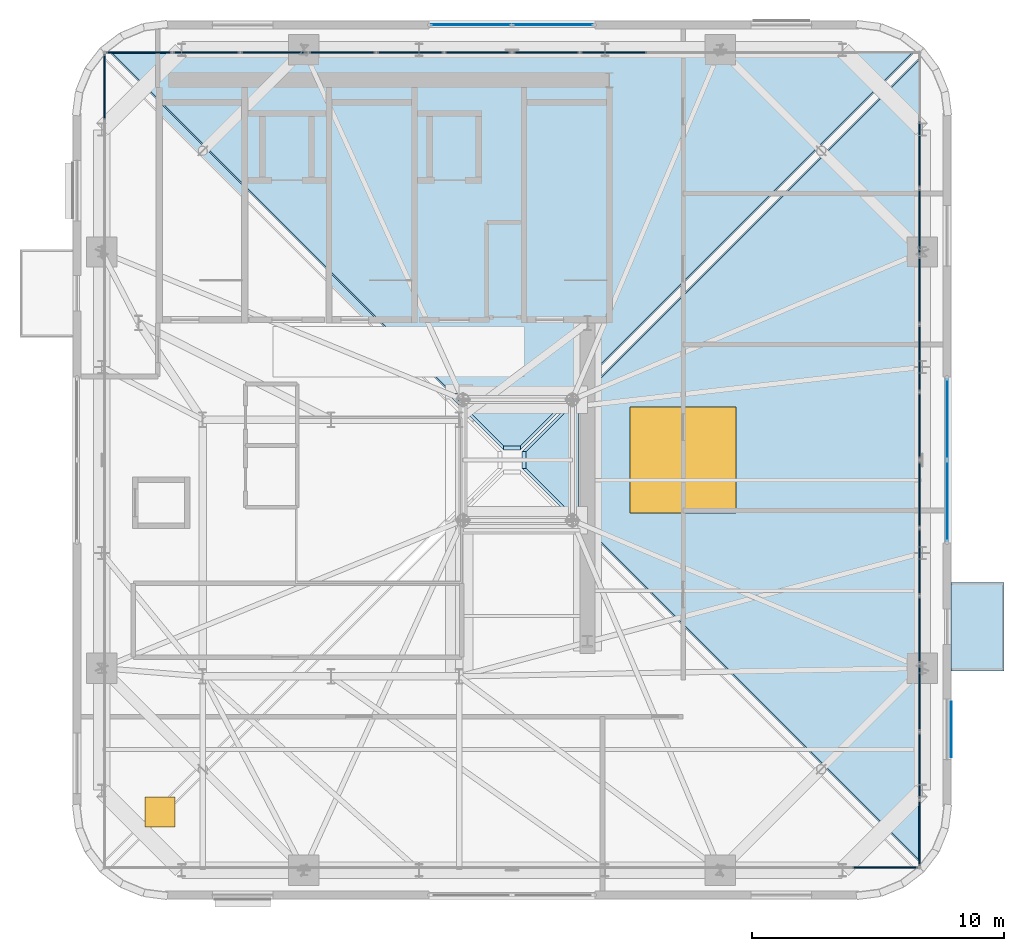
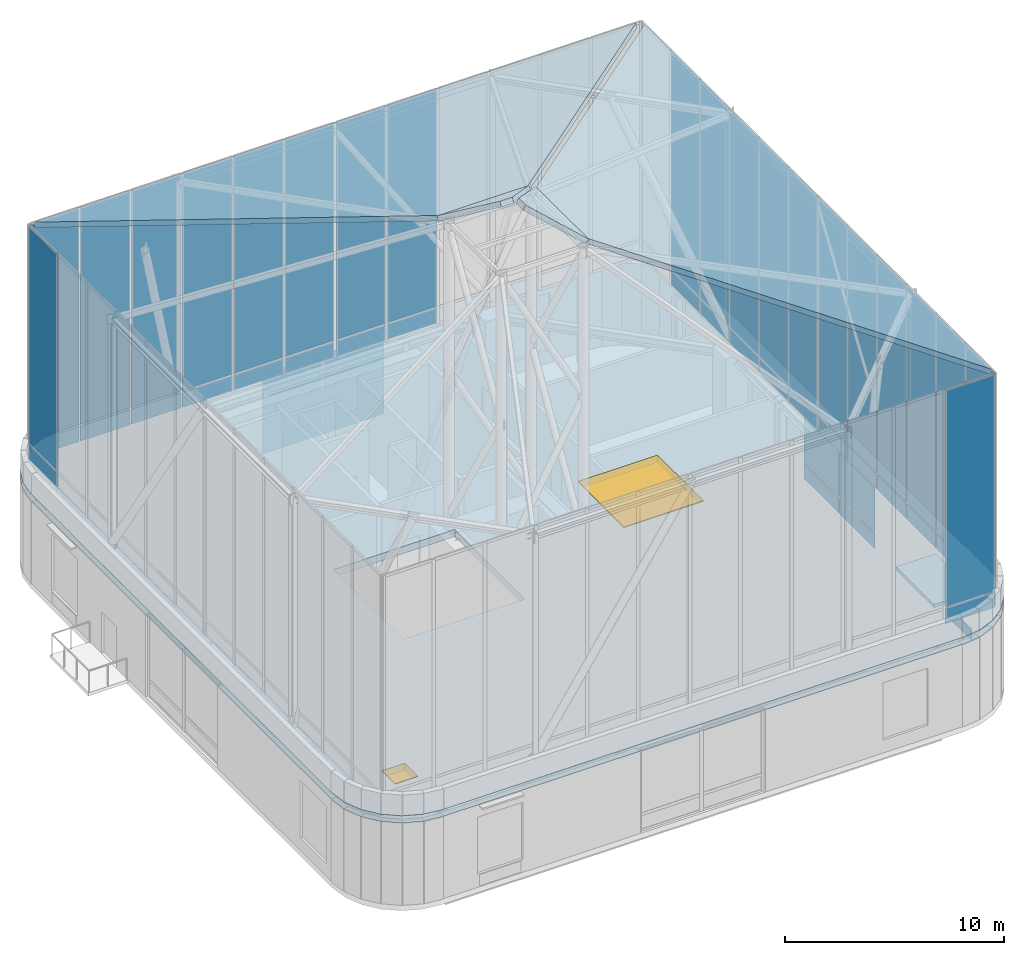
# One storey, part 10 of 15: 51 plates, 6 slabs, 2 windows, 2 openings, 8 elements without a shape of their own.
"""IFC4 building model written with IfcOpenShell, lengths in metres."""

from ifc_helpers import new_model, si_unit, direction, frame, origin, origin_2d, place, context, subcontext, project, spatial, polyline, rectangle, outline, extrude, source, transform, mapped, material, layer, layer_set, type_object, element, fill, aggregate, save


model = new_model("IFC4")

# Units and contexts
model_context = context("Model", 3, precision=1e-05, world=origin(), true_north=direction((0.0, 1.0)))
body_context = subcontext(model_context, "Body", "Model", "MODEL_VIEW")
ifc_project = project(units=[si_unit("LENGTHUNIT", "METRE"), si_unit("AREAUNIT", "SQUARE_METRE"), si_unit("VOLUMEUNIT", "CUBIC_METRE"), si_unit("PLANEANGLEUNIT", "RADIAN"), si_unit("MASSUNIT", "GRAM", prefix="KILO")], contexts=[model_context])

# Site, building, storey
site_placement = place(None, origin())
site = spatial("IfcSite", under=ifc_project, at=site_placement, CompositionType="ELEMENT")
building_placement = place(site_placement, origin())
building = spatial("IfcBuilding", under=site, at=building_placement, Name="Vardaveli Station Tower", CompositionType="ELEMENT")
storey_placement = place(building_placement, frame((0.0, 0.0, 301.14990234375)))
storey = spatial("IfcBuildingStorey", under=building, at=storey_placement, Name="L76", CompositionType="ELEMENT", Elevation=301.14990234375)

# Slabs
ifc_material_1 = material(Name="Concrete C40/50", Category="concrete")
ifc_layer_1 = layer(ifc_material_1, 0.280029296875, Name="Concrete C40/50")
ifc_layer_set_1 = layer_set([ifc_layer_1], Name="Concrete C40/50")
slab_type_1 = type_object("IfcSlabType", Name="SLB-CROWN-280", PredefinedType="ROOF", material=ifc_layer_set_1)
slab_1_placement = place(storey_placement, frame((59.699951171875, 9.280029296875, 18.150146484375), z_axis=(0.273303879802, 0.0, 0.961927746395), x_axis=(0.0, 1.0, 0.0)))
element("IfcSlab", 1, at=slab_1_placement, inside=storey, type_object=slab_type_1, Name="SLB-CROWN-EAST", PredefinedType="ROOF", context=body_context, shape_type="SweptSolid", body=[
    extrude(outline(polyline([(0.0, 0.0), (31.840087890625, 0.0), (18.2900390625, 14.08642578125), (13.550048828125, 14.08642578125), (0.0, 0.0)])), origin(), (0.0, 0.0, -1.0), 0.280029296875),
])
slab_2_placement = place(storey_placement, frame((59.419921875, 41.39990234375, 18.150146484375), z_axis=(0.0, 0.27330843636, 0.96192645177), x_axis=(-1.0, 0.0, 0.0)))
element("IfcSlab", 2, at=slab_2_placement, inside=storey, type_object=slab_type_1, Name="SLB-CROWN-NORTH", PredefinedType="ROOF", context=body_context, shape_type="SweptSolid", body=[
    extrude(outline(polyline([(0.0, 0.0), (31.83984375, 0.0), (18.2900390625, 14.086181640625), (13.5498046875, 14.086181640625), (0.0, 0.0)])), origin(), (0.0, 0.0, -1.0), 0.280029296875),
])
slab_3_placement = place(storey_placement, frame((46.14990234375, 22.77001953125, 22.0), z_axis=(0.540811960531, 0.0, 0.841143521253), x_axis=(0.0, 1.0, 0.0)))
element("IfcSlab", 3, at=slab_3_placement, inside=storey, type_object=slab_type_1, Name="SLB-CROWN-APXE", PredefinedType="ROOF", context=body_context, shape_type="SweptSolid", body=[
    extrude(outline(polyline([(0.0, 0.0), (4.85986328125, 0.0), (2.760009765625, 2.496337890625), (2.10009765625, 2.496337890625), (0.0, 0.0)])), origin(), (0.0, 0.0, -1.0), 0.280029296875),
])
slab_4_placement = place(storey_placement, frame((45.929931640625, 27.85009765625, 22.0), z_axis=(0.0, 0.540767475981, 0.841172120866), x_axis=(-1.0, 0.0, 0.0)))
element("IfcSlab", 4, at=slab_4_placement, inside=storey, type_object=slab_type_1, Name="SLB-CROWN-APXN", PredefinedType="ROOF", context=body_context, shape_type="SweptSolid", body=[
    extrude(outline(polyline([(0.0, 0.0), (4.85986328125, 0.0), (2.760009765625, 2.49658203125), (2.099853515625, 2.49658203125), (0.0, 0.0)])), origin(), (0.0, 0.0, -1.0), 0.280029296875),
])
ifc_material_2 = material(Name="Precast concrete C45/55", Category="concrete")
ifc_layer_2 = layer(ifc_material_2, 0.179931640625, Name="Precast concrete C45/55")
ifc_layer_set_2 = layer_set([ifc_layer_2], Name="Precast concrete C45/55")
slab_type_2 = type_object("IfcSlabType", Name="SLB-LOGGIA-180", PredefinedType="FLOOR", material=ifc_layer_set_2)
slab_5_placement = place(storey_placement, frame((0.0, 0.0, -0.179931640625)))
element("IfcSlab", 5, at=slab_5_placement, inside=storey, type_object=slab_type_2, Name="LOG-L76-E", PredefinedType="FLOOR", context=body_context, shape_type="SweptSolid", body=[
    extrude(outline(polyline([(60.9599609375, 16.821533203125), (63.06005859375, 16.821533203125), (63.06005859375, 20.321533203125), (60.9599609375, 20.321533203125), (60.9599609375, 16.821533203125)])), origin(), (0.0, 0.0, 1.0), 0.179931640625),
])

# Slab, openings, windows
ifc_material_3 = material(Name="Concrete C50/60", Category="concrete")
ifc_layer_3 = layer(ifc_material_3, 0.39990234375, Name="Concrete C50/60")
ifc_layer_set_3 = layer_set([ifc_layer_3], Name="Concrete C50/60")
slab_type_3 = type_object("IfcSlabType", Name="SLB-TRANS-400", PredefinedType="FLOOR", material=ifc_layer_set_3)
slab_6_placement = place(storey_placement, frame((0.0, 0.0, 4.60009765625)))
slab_6 = element("IfcSlab", 6, at=slab_6_placement, inside=storey, type_object=slab_type_3, Name="SLB-L76-CEIL", PredefinedType="FLOOR", context=body_context, shape_type="SweptSolid", body=[
    extrude(outline(polyline([(26.0400390625, 11.406982421875), (26.1650390625, 10.4580078125), (26.53125, 9.573486328125), (27.114013671875, 8.81396484375), (27.87353515625, 8.231201171875), (28.7578125, 7.864990234375), (29.70703125, 7.739990234375), (57.29296875, 7.739990234375), (58.2421875, 7.864990234375), (59.12646484375, 8.231201171875), (59.885986328125, 8.81396484375), (60.46875, 9.573486328125), (60.8349609375, 10.4580078125), (60.9599609375, 11.406982421875), (60.9599609375, 38.992919921875), (60.8349609375, 39.942138671875), (60.46875, 40.826416015625), (59.885986328125, 41.5859375), (59.12646484375, 42.168701171875), (58.2421875, 42.53515625), (57.29296875, 42.659912109375), (29.70703125, 42.659912109375), (28.7578125, 42.53515625), (27.87353515625, 42.168701171875), (27.114013671875, 41.5859375), (26.53125, 40.826416015625), (26.1650390625, 39.942138671875), (26.0400390625, 38.992919921875), (26.0400390625, 11.406982421875)]), holes=[polyline([(35.0, 20.39990234375), (41.39990234375, 20.39990234375), (41.39990234375, 26.800048828125), (35.0, 26.800048828125), (35.0, 20.39990234375)])]), origin(), (0.0, 0.0, 1.0), 0.39990234375),
])
opening_1_placement = place(slab_6_placement, frame((50.300048828125, 25.199951171875, -0.010009765625)))
opening_1 = element("IfcOpeningElement", 7, at=opening_1_placement, cuts=slab_6, Name="Opening SK-02", PredefinedType="OPENING", context=body_context, shape_type="SweptSolid", body=[
    extrude(rectangle(XDim=4.199951171875, YDim=4.199951171875, at=origin_2d()), origin(), (0.0, 0.0, 1.0), 0.419921875),
])
opening_2_placement = place(slab_6_placement, frame((29.5, 11.199951171875, -0.010009765625)))
opening_2 = element("IfcOpeningElement", 8, at=opening_2_placement, cuts=slab_6, Name="Opening RH-01", PredefinedType="OPENING", context=body_context, shape_type="SweptSolid", body=[
    extrude(rectangle(XDim=1.199951171875, YDim=1.199951171875, at=origin_2d()), origin(), (0.0, 0.0, 1.0), 0.419921875),
])
ifc_material_4 = material(Name="Laminated fritted crown skylight glass", Category="glass")
window_type_1 = type_object("IfcWindowType", Name="SKY-CRN-4200x4200", PartitioningType="SINGLE_PANEL", PredefinedType="SKYLIGHT", material=ifc_material_4)
window_1_placement = place(slab_6_placement, frame((50.300048828125, 25.199951171875, 0.349853515625)))
window_1 = element("IfcWindow", 9, at=window_1_placement, inside=storey, type_object=window_type_1, Name="Crown Atrium Skylight", OverallHeight=4.199951171875, OverallWidth=4.199951171875, PartitioningType="SINGLE_PANEL", PredefinedType="SKYLIGHT", context=body_context, shape_type="SweptSolid", body=[
    extrude(rectangle(XDim=4.199951171875, YDim=4.199951171875, at=origin_2d()), origin(), (0.0, 0.0, 1.0), 0.050048828125),
])
fill(opening_1, window_1)
ifc_material_5 = material(Name="Insulated aluminium roof hatch", Category="aluminium")
window_type_2 = type_object("IfcWindowType", Name="SKY-HATCH-1200x1200", PartitioningType="SINGLE_PANEL", PredefinedType="SKYLIGHT", material=ifc_material_5)
window_2_placement = place(slab_6_placement, frame((29.5, 11.199951171875, 0.349853515625)))
window_2 = element("IfcWindow", 10, at=window_2_placement, inside=storey, type_object=window_type_2, Name="RHT-L76-COLLAR", OverallHeight=1.199951171875, OverallWidth=1.199951171875, PartitioningType="SINGLE_PANEL", PredefinedType="SKYLIGHT", context=body_context, shape_type="SweptSolid", body=[
    extrude(rectangle(XDim=1.199951171875, YDim=1.199951171875, at=origin_2d()), origin(), (0.0, 0.0, 1.0), 0.050048828125),
])
fill(opening_2, window_2)

# Plate
ifc_material_6 = material(Name="Honed Caucasian travertine stone", Category="masonry")
ifc_layer_4 = layer(ifc_material_6, 0.034912109375, Name="Honed Caucasian travertine stone")
ifc_layer_set_4 = layer_set([ifc_layer_4], Name="Honed Caucasian travertine stone")
plate_type_1 = type_object("IfcPlateType", Name="PLT-TRAV-35", PredefinedType="SHEET", material=ifc_layer_set_4)
shared_shape_1 = source(origin(), body_context, "Body", "SweptSolid", [
    extrude(rectangle(XDim=2.199951171875, YDim=0.034912109375, at=origin_2d()), origin(), (0.0, 0.0, 1.0), 0.6201171875),
])
plate_1_placement = place(storey_placement, frame((60.969482421875, 14.490478515625, 0.070068359375), z_axis=(0.0, 0.0, 1.0), x_axis=(0.0, 1.0, 0.0)))
element("IfcPlate", 11, at=plate_1_placement, inside=storey, type_object=plate_type_1, Name="PLT-TR-L76-E", PredefinedType="SHEET", context=body_context, shape_type="MappedRepresentation", body=[
    mapped(shared_shape_1, transform((0.0, 0.0, 0.0), scale=1.0)),
])

# Curtain wall, plates
ifc_material_7 = material(Name="Travertine stone and solar-control glass", Category="masonry")
curtain_wall_type_1 = type_object("IfcCurtainWallType", Name="CW-SYS-5", PredefinedType="NOTDEFINED", material=ifc_material_7)
curtain_wall_1_placement = place(storey_placement, origin())
curtain_wall_1 = element("IfcCurtainWall", 12, at=curtain_wall_1_placement, inside=storey, type_object=curtain_wall_type_1, Name="CW-L76-N", PredefinedType="NOTDEFINED")
ifc_material_8 = material(Name="Double-glazed low-E solar-control glass", Category="glass")
ifc_layer_5 = layer(ifc_material_8, 0.031982421875, Name="Double-glazed low-E solar-control glass")
ifc_layer_set_5 = layer_set([ifc_layer_5], Name="Double-glazed low-E solar-control glass")
plate_type_2 = type_object("IfcPlateType", Name="CW-SYS-5-PAN", PredefinedType="CURTAIN_PANEL", material=ifc_layer_set_5)
shared_shape_2 = source(origin(), body_context, "Body", "SweptSolid", [
    extrude(rectangle(XDim=3.179931640625, YDim=0.031982421875, at=origin_2d()), origin(), (0.0, 0.0, 1.0), 0.830078125),
])
plate_2_placement = place(storey_placement, frame((45.1298828125, 42.5, 0.080078125), z_axis=(0.0, 0.0, 1.0), x_axis=(-1.0, 0.0, 0.0)))
plate_2 = element("IfcPlate", 13, at=plate_2_placement, type_object=plate_type_2, Name="CW-5 panel 1.1", PredefinedType="CURTAIN_PANEL", context=body_context, shape_type="MappedRepresentation", body=[
    mapped(shared_shape_2, transform((0.0, 0.0, 0.0), scale=1.0)),
])
plate_3_placement = place(storey_placement, frame((41.8701171875, 42.5, 0.080078125), z_axis=(0.0, 0.0, 1.0), x_axis=(-1.0, 0.0, 0.0)))
plate_3 = element("IfcPlate", 14, at=plate_3_placement, type_object=plate_type_2, Name="CW-5 panel 2.1", PredefinedType="CURTAIN_PANEL", context=body_context, shape_type="MappedRepresentation", body=[
    mapped(shared_shape_2, transform((0.0, 0.0, 0.0), scale=1.0)),
])

curtain_wall_2_placement = place(storey_placement, origin())
curtain_wall_2 = element("IfcCurtainWall", 15, at=curtain_wall_2_placement, inside=storey, type_object=curtain_wall_type_1, Name="CW-L76-E", PredefinedType="NOTDEFINED")
plate_4_placement = place(storey_placement, frame((60.800048828125, 23.570068359375, 0.080078125), z_axis=(0.0, 0.0, 1.0), x_axis=(0.0, 1.0, 0.0)))
plate_4 = element("IfcPlate", 16, at=plate_4_placement, type_object=plate_type_2, Name="CW-5 panel 1.1", PredefinedType="CURTAIN_PANEL", context=body_context, shape_type="MappedRepresentation", body=[
    mapped(shared_shape_2, transform((0.0, 0.0, 0.0), scale=1.0)),
])
plate_5_placement = place(storey_placement, frame((60.800048828125, 26.830078125, 0.080078125), z_axis=(0.0, 0.0, 1.0), x_axis=(0.0, 1.0, 0.0)))
plate_5 = element("IfcPlate", 17, at=plate_5_placement, type_object=plate_type_2, Name="CW-5 panel 2.1", PredefinedType="CURTAIN_PANEL", context=body_context, shape_type="MappedRepresentation", body=[
    mapped(shared_shape_2, transform((0.0, 0.0, 0.0), scale=1.0)),
])

# Plate
shared_shape_3 = source(origin(), body_context, "Body", "SweptSolid", [
    extrude(rectangle(XDim=3.179931640625, YDim=0.031982421875, at=origin_2d()), origin(), (0.0, 0.0, 1.0), 3.530029296875),
])
plate_6_placement = place(storey_placement, frame((45.1298828125, 42.5, 0.990234375), z_axis=(0.0, 0.0, 1.0), x_axis=(-1.0, 0.0, 0.0)))
plate_6 = element("IfcPlate", 18, at=plate_6_placement, type_object=plate_type_2, Name="CW-5 panel 1.2", PredefinedType="CURTAIN_PANEL", context=body_context, shape_type="MappedRepresentation", body=[
    mapped(shared_shape_3, transform((0.0, 0.0, 0.0), scale=1.0)),
])

plate_7_placement = place(storey_placement, frame((41.8701171875, 42.5, 0.990234375), z_axis=(0.0, 0.0, 1.0), x_axis=(-1.0, 0.0, 0.0)))
plate_7 = element("IfcPlate", 19, at=plate_7_placement, type_object=plate_type_2, Name="CW-5 panel 2.2", PredefinedType="CURTAIN_PANEL", context=body_context, shape_type="MappedRepresentation", body=[
    mapped(shared_shape_3, transform((0.0, 0.0, 0.0), scale=1.0)),
])

aggregate(curtain_wall_1, [plate_2, plate_6, plate_3, plate_7])

plate_8_placement = place(storey_placement, frame((60.800048828125, 23.570068359375, 0.990234375), z_axis=(0.0, 0.0, 1.0), x_axis=(0.0, 1.0, 0.0)))
plate_8 = element("IfcPlate", 20, at=plate_8_placement, type_object=plate_type_2, Name="CW-5 panel 1.2", PredefinedType="CURTAIN_PANEL", context=body_context, shape_type="MappedRepresentation", body=[
    mapped(shared_shape_3, transform((0.0, 0.0, 0.0), scale=1.0)),
])

plate_9_placement = place(storey_placement, frame((60.800048828125, 26.830078125, 0.990234375), z_axis=(0.0, 0.0, 1.0), x_axis=(0.0, 1.0, 0.0)))
plate_9 = element("IfcPlate", 21, at=plate_9_placement, type_object=plate_type_2, Name="CW-5 panel 2.2", PredefinedType="CURTAIN_PANEL", context=body_context, shape_type="MappedRepresentation", body=[
    mapped(shared_shape_3, transform((0.0, 0.0, 0.0), scale=1.0)),
])

aggregate(curtain_wall_2, [plate_4, plate_8, plate_5, plate_9])

# Curtain wall, plate
curtain_wall_type_2 = type_object("IfcCurtainWallType", Name="CW-SYS-6", PredefinedType="NOTDEFINED", material=ifc_material_7)
curtain_wall_3_placement = place(storey_placement, origin())
curtain_wall_3 = element("IfcCurtainWall", 22, at=curtain_wall_3_placement, inside=storey, type_object=curtain_wall_type_2, Name="CW-L76-CRN-S2", PredefinedType="NOTDEFINED")
ifc_layer_6 = layer(ifc_material_8, 0.053955078125, Name="Double-glazed low-E solar-control glass")
ifc_layer_set_6 = layer_set([ifc_layer_6], Name="Double-glazed low-E solar-control glass")
plate_type_3 = type_object("IfcPlateType", Name="CW-SYS-6-PAN", PredefinedType="CURTAIN_PANEL", material=ifc_layer_set_6)
shared_shape_4 = source(origin(), body_context, "Body", "SweptSolid", [
    extrude(rectangle(XDim=2.58740234375, YDim=0.053955078125, at=origin_2d()), origin(), (0.0, 0.0, 1.0), 0.83740234375),
])
plate_10_placement = place(storey_placement, frame((58.331298828125, 9.0, 5.0751953125), z_axis=(0.0, 0.0, 1.0), x_axis=(1.0, 0.0, 0.0)))
plate_10 = element("IfcPlate", 23, at=plate_10_placement, type_object=plate_type_3, Name="CW-6 panel 6.1", PredefinedType="CURTAIN_PANEL", context=body_context, shape_type="MappedRepresentation", body=[
    mapped(shared_shape_4, transform((0.0, 0.0, 0.0), scale=1.0)),
])

# Curtain wall, plates
curtain_wall_4_placement = place(storey_placement, origin())
curtain_wall_4 = element("IfcCurtainWall", 24, at=curtain_wall_4_placement, inside=storey, type_object=curtain_wall_type_2, Name="CW-L76-CRN-E1", PredefinedType="NOTDEFINED")
plate_11_placement = place(storey_placement, frame((59.699951171875, 10.36865234375, 5.0751953125), z_axis=(0.0, 0.0, 1.0), x_axis=(0.0, 1.0, 0.0)))
plate_11 = element("IfcPlate", 25, at=plate_11_placement, type_object=plate_type_3, Name="CW-6 panel 1.1", PredefinedType="CURTAIN_PANEL", context=body_context, shape_type="MappedRepresentation", body=[
    mapped(shared_shape_4, transform((0.0, 0.0, 0.0), scale=1.0)),
])
plate_12_placement = place(storey_placement, frame((59.699951171875, 23.831298828125, 5.0751953125), z_axis=(0.0, 0.0, 1.0), x_axis=(0.0, 1.0, 0.0)))
plate_12 = element("IfcPlate", 26, at=plate_12_placement, type_object=plate_type_3, Name="CW-6 panel 6.1", PredefinedType="CURTAIN_PANEL", context=body_context, shape_type="MappedRepresentation", body=[
    mapped(shared_shape_4, transform((0.0, 0.0, 0.0), scale=1.0)),
])

# Curtain wall, plate
curtain_wall_5_placement = place(storey_placement, origin())
curtain_wall_5 = element("IfcCurtainWall", 27, at=curtain_wall_5_placement, inside=storey, type_object=curtain_wall_type_2, Name="CW-L76-CRN-E2", PredefinedType="NOTDEFINED")
plate_13_placement = place(storey_placement, frame((59.699951171875, 26.56884765625, 5.0751953125), z_axis=(0.0, 0.0, 1.0), x_axis=(0.0, 1.0, 0.0)))
plate_13 = element("IfcPlate", 28, at=plate_13_placement, type_object=plate_type_3, Name="CW-6 panel 1.1", PredefinedType="CURTAIN_PANEL", context=body_context, shape_type="MappedRepresentation", body=[
    mapped(shared_shape_4, transform((0.0, 0.0, 0.0), scale=1.0)),
])

curtain_wall_6_placement = place(storey_placement, origin())
curtain_wall_6 = element("IfcCurtainWall", 29, at=curtain_wall_6_placement, inside=storey, type_object=curtain_wall_type_2, Name="CW-L76-CRN-N1", PredefinedType="NOTDEFINED")
plate_14_placement = place(storey_placement, frame((44.86865234375, 41.39990234375, 5.0751953125), z_axis=(0.0, 0.0, 1.0), x_axis=(-1.0, 0.0, 0.0)))
plate_14 = element("IfcPlate", 30, at=plate_14_placement, type_object=plate_type_3, Name="CW-6 panel 6.1", PredefinedType="CURTAIN_PANEL", context=body_context, shape_type="MappedRepresentation", body=[
    mapped(shared_shape_4, transform((0.0, 0.0, 0.0), scale=1.0)),
])

# Curtain wall, plates
curtain_wall_7_placement = place(storey_placement, origin())
curtain_wall_7 = element("IfcCurtainWall", 31, at=curtain_wall_7_placement, inside=storey, type_object=curtain_wall_type_2, Name="CW-L76-CRN-N2", PredefinedType="NOTDEFINED")
plate_15_placement = place(storey_placement, frame((42.13134765625, 41.39990234375, 5.0751953125), z_axis=(0.0, 0.0, 1.0), x_axis=(-1.0, 0.0, 0.0)))
plate_15 = element("IfcPlate", 32, at=plate_15_placement, type_object=plate_type_3, Name="CW-6 panel 1.1", PredefinedType="CURTAIN_PANEL", context=body_context, shape_type="MappedRepresentation", body=[
    mapped(shared_shape_4, transform((0.0, 0.0, 0.0), scale=1.0)),
])
plate_16_placement = place(storey_placement, frame((28.668701171875, 41.39990234375, 5.0751953125), z_axis=(0.0, 0.0, 1.0), x_axis=(-1.0, 0.0, 0.0)))
plate_16 = element("IfcPlate", 33, at=plate_16_placement, type_object=plate_type_3, Name="CW-6 panel 6.1", PredefinedType="CURTAIN_PANEL", context=body_context, shape_type="MappedRepresentation", body=[
    mapped(shared_shape_4, transform((0.0, 0.0, 0.0), scale=1.0)),
])

# Curtain wall, plate
curtain_wall_8_placement = place(storey_placement, origin())
curtain_wall_8 = element("IfcCurtainWall", 34, at=curtain_wall_8_placement, inside=storey, type_object=curtain_wall_type_2, Name="CW-L76-CRN-W1", PredefinedType="NOTDEFINED")
plate_17_placement = place(storey_placement, frame((27.300048828125, 40.03125, 5.0751953125), z_axis=(0.0, 0.0, 1.0), x_axis=(0.0, -1.0, 0.0)))
plate_17 = element("IfcPlate", 35, at=plate_17_placement, type_object=plate_type_3, Name="CW-6 panel 1.1", PredefinedType="CURTAIN_PANEL", context=body_context, shape_type="MappedRepresentation", body=[
    mapped(shared_shape_4, transform((0.0, 0.0, 0.0), scale=1.0)),
])

# Plate
shared_shape_5 = source(origin(), body_context, "Body", "SweptSolid", [
    extrude(rectangle(XDim=2.58740234375, YDim=0.053955078125, at=origin_2d()), origin(), (0.0, 0.0, 1.0), 12.08740234375),
])
plate_18_placement = place(storey_placement, frame((58.331298828125, 9.0, 5.987548828125), z_axis=(0.0, 0.0, 1.0), x_axis=(1.0, 0.0, 0.0)))
plate_18 = element("IfcPlate", 36, at=plate_18_placement, type_object=plate_type_3, Name="CW-6 panel 6.2", PredefinedType="CURTAIN_PANEL", context=body_context, shape_type="MappedRepresentation", body=[
    mapped(shared_shape_5, transform((0.0, 0.0, 0.0), scale=1.0)),
])

aggregate(curtain_wall_3, [plate_10, plate_18])

plate_19_placement = place(storey_placement, frame((59.699951171875, 10.36865234375, 5.987548828125), z_axis=(0.0, 0.0, 1.0), x_axis=(0.0, 1.0, 0.0)))
plate_19 = element("IfcPlate", 37, at=plate_19_placement, type_object=plate_type_3, Name="CW-6 panel 1.2", PredefinedType="CURTAIN_PANEL", context=body_context, shape_type="MappedRepresentation", body=[
    mapped(shared_shape_5, transform((0.0, 0.0, 0.0), scale=1.0)),
])

plate_20_placement = place(storey_placement, frame((59.699951171875, 23.831298828125, 5.987548828125), z_axis=(0.0, 0.0, 1.0), x_axis=(0.0, 1.0, 0.0)))
plate_20 = element("IfcPlate", 38, at=plate_20_placement, type_object=plate_type_3, Name="CW-6 panel 6.2", PredefinedType="CURTAIN_PANEL", context=body_context, shape_type="MappedRepresentation", body=[
    mapped(shared_shape_5, transform((0.0, 0.0, 0.0), scale=1.0)),
])

plate_21_placement = place(storey_placement, frame((59.699951171875, 26.56884765625, 5.987548828125), z_axis=(0.0, 0.0, 1.0), x_axis=(0.0, 1.0, 0.0)))
plate_21 = element("IfcPlate", 39, at=plate_21_placement, type_object=plate_type_3, Name="CW-6 panel 1.2", PredefinedType="CURTAIN_PANEL", context=body_context, shape_type="MappedRepresentation", body=[
    mapped(shared_shape_5, transform((0.0, 0.0, 0.0), scale=1.0)),
])

plate_22_placement = place(storey_placement, frame((44.86865234375, 41.39990234375, 5.987548828125), z_axis=(0.0, 0.0, 1.0), x_axis=(-1.0, 0.0, 0.0)))
plate_22 = element("IfcPlate", 40, at=plate_22_placement, type_object=plate_type_3, Name="CW-6 panel 6.2", PredefinedType="CURTAIN_PANEL", context=body_context, shape_type="MappedRepresentation", body=[
    mapped(shared_shape_5, transform((0.0, 0.0, 0.0), scale=1.0)),
])

plate_23_placement = place(storey_placement, frame((42.13134765625, 41.39990234375, 5.987548828125), z_axis=(0.0, 0.0, 1.0), x_axis=(-1.0, 0.0, 0.0)))
plate_23 = element("IfcPlate", 41, at=plate_23_placement, type_object=plate_type_3, Name="CW-6 panel 1.2", PredefinedType="CURTAIN_PANEL", context=body_context, shape_type="MappedRepresentation", body=[
    mapped(shared_shape_5, transform((0.0, 0.0, 0.0), scale=1.0)),
])

plate_24_placement = place(storey_placement, frame((28.668701171875, 41.39990234375, 5.987548828125), z_axis=(0.0, 0.0, 1.0), x_axis=(-1.0, 0.0, 0.0)))
plate_24 = element("IfcPlate", 42, at=plate_24_placement, type_object=plate_type_3, Name="CW-6 panel 6.2", PredefinedType="CURTAIN_PANEL", context=body_context, shape_type="MappedRepresentation", body=[
    mapped(shared_shape_5, transform((0.0, 0.0, 0.0), scale=1.0)),
])

plate_25_placement = place(storey_placement, frame((27.300048828125, 40.03125, 5.987548828125), z_axis=(0.0, 0.0, 1.0), x_axis=(0.0, -1.0, 0.0)))
plate_25 = element("IfcPlate", 43, at=plate_25_placement, type_object=plate_type_3, Name="CW-6 panel 1.2", PredefinedType="CURTAIN_PANEL", context=body_context, shape_type="MappedRepresentation", body=[
    mapped(shared_shape_5, transform((0.0, 0.0, 0.0), scale=1.0)),
])

aggregate(curtain_wall_8, [plate_17, plate_25])

shared_shape_6 = source(origin(), body_context, "Body", "SweptSolid", [
    extrude(rectangle(XDim=2.625, YDim=0.053955078125, at=origin_2d()), origin(), (0.0, 0.0, 1.0), 0.83740234375),
])
plate_26_placement = place(storey_placement, frame((59.699951171875, 13.050048828125, 5.0751953125), z_axis=(0.0, 0.0, 1.0), x_axis=(0.0, 1.0, 0.0)))
plate_26 = element("IfcPlate", 44, at=plate_26_placement, type_object=plate_type_3, Name="CW-6 panel 2.1", PredefinedType="CURTAIN_PANEL", context=body_context, shape_type="MappedRepresentation", body=[
    mapped(shared_shape_6, transform((0.0, 0.0, 0.0), scale=1.0)),
])

plate_27_placement = place(storey_placement, frame((59.699951171875, 15.75, 5.0751953125), z_axis=(0.0, 0.0, 1.0), x_axis=(0.0, 1.0, 0.0)))
plate_27 = element("IfcPlate", 45, at=plate_27_placement, type_object=plate_type_3, Name="CW-6 panel 3.1", PredefinedType="CURTAIN_PANEL", context=body_context, shape_type="MappedRepresentation", body=[
    mapped(shared_shape_6, transform((0.0, 0.0, 0.0), scale=1.0)),
])

plate_28_placement = place(storey_placement, frame((59.699951171875, 18.449951171875, 5.0751953125), z_axis=(0.0, 0.0, 1.0), x_axis=(0.0, 1.0, 0.0)))
plate_28 = element("IfcPlate", 46, at=plate_28_placement, type_object=plate_type_3, Name="CW-6 panel 4.1", PredefinedType="CURTAIN_PANEL", context=body_context, shape_type="MappedRepresentation", body=[
    mapped(shared_shape_6, transform((0.0, 0.0, 0.0), scale=1.0)),
])

plate_29_placement = place(storey_placement, frame((59.699951171875, 21.14990234375, 5.0751953125), z_axis=(0.0, 0.0, 1.0), x_axis=(0.0, 1.0, 0.0)))
plate_29 = element("IfcPlate", 47, at=plate_29_placement, type_object=plate_type_3, Name="CW-6 panel 5.1", PredefinedType="CURTAIN_PANEL", context=body_context, shape_type="MappedRepresentation", body=[
    mapped(shared_shape_6, transform((0.0, 0.0, 0.0), scale=1.0)),
])

plate_30_placement = place(storey_placement, frame((59.699951171875, 29.25, 5.0751953125), z_axis=(0.0, 0.0, 1.0), x_axis=(0.0, 1.0, 0.0)))
plate_30 = element("IfcPlate", 48, at=plate_30_placement, type_object=plate_type_3, Name="CW-6 panel 2.1", PredefinedType="CURTAIN_PANEL", context=body_context, shape_type="MappedRepresentation", body=[
    mapped(shared_shape_6, transform((0.0, 0.0, 0.0), scale=1.0)),
])

plate_31_placement = place(storey_placement, frame((59.699951171875, 31.949951171875, 5.0751953125), z_axis=(0.0, 0.0, 1.0), x_axis=(0.0, 1.0, 0.0)))
plate_31 = element("IfcPlate", 49, at=plate_31_placement, type_object=plate_type_3, Name="CW-6 panel 3.1", PredefinedType="CURTAIN_PANEL", context=body_context, shape_type="MappedRepresentation", body=[
    mapped(shared_shape_6, transform((0.0, 0.0, 0.0), scale=1.0)),
])

plate_32_placement = place(storey_placement, frame((59.699951171875, 34.64990234375, 5.0751953125), z_axis=(0.0, 0.0, 1.0), x_axis=(0.0, 1.0, 0.0)))
plate_32 = element("IfcPlate", 50, at=plate_32_placement, type_object=plate_type_3, Name="CW-6 panel 4.1", PredefinedType="CURTAIN_PANEL", context=body_context, shape_type="MappedRepresentation", body=[
    mapped(shared_shape_6, transform((0.0, 0.0, 0.0), scale=1.0)),
])

plate_33_placement = place(storey_placement, frame((59.699951171875, 37.35009765625, 5.0751953125), z_axis=(0.0, 0.0, 1.0), x_axis=(0.0, 1.0, 0.0)))
plate_33 = element("IfcPlate", 51, at=plate_33_placement, type_object=plate_type_3, Name="CW-6 panel 5.1", PredefinedType="CURTAIN_PANEL", context=body_context, shape_type="MappedRepresentation", body=[
    mapped(shared_shape_6, transform((0.0, 0.0, 0.0), scale=1.0)),
])

plate_34_placement = place(storey_placement, frame((47.550048828125, 41.39990234375, 5.0751953125), z_axis=(0.0, 0.0, 1.0), x_axis=(-1.0, 0.0, 0.0)))
plate_34 = element("IfcPlate", 52, at=plate_34_placement, type_object=plate_type_3, Name="CW-6 panel 5.1", PredefinedType="CURTAIN_PANEL", context=body_context, shape_type="MappedRepresentation", body=[
    mapped(shared_shape_6, transform((0.0, 0.0, 0.0), scale=1.0)),
])

plate_35_placement = place(storey_placement, frame((39.449951171875, 41.39990234375, 5.0751953125), z_axis=(0.0, 0.0, 1.0), x_axis=(-1.0, 0.0, 0.0)))
plate_35 = element("IfcPlate", 53, at=plate_35_placement, type_object=plate_type_3, Name="CW-6 panel 2.1", PredefinedType="CURTAIN_PANEL", context=body_context, shape_type="MappedRepresentation", body=[
    mapped(shared_shape_6, transform((0.0, 0.0, 0.0), scale=1.0)),
])

plate_36_placement = place(storey_placement, frame((36.75, 41.39990234375, 5.0751953125), z_axis=(0.0, 0.0, 1.0), x_axis=(-1.0, 0.0, 0.0)))
plate_36 = element("IfcPlate", 54, at=plate_36_placement, type_object=plate_type_3, Name="CW-6 panel 3.1", PredefinedType="CURTAIN_PANEL", context=body_context, shape_type="MappedRepresentation", body=[
    mapped(shared_shape_6, transform((0.0, 0.0, 0.0), scale=1.0)),
])

plate_37_placement = place(storey_placement, frame((34.050048828125, 41.39990234375, 5.0751953125), z_axis=(0.0, 0.0, 1.0), x_axis=(-1.0, 0.0, 0.0)))
plate_37 = element("IfcPlate", 55, at=plate_37_placement, type_object=plate_type_3, Name="CW-6 panel 4.1", PredefinedType="CURTAIN_PANEL", context=body_context, shape_type="MappedRepresentation", body=[
    mapped(shared_shape_6, transform((0.0, 0.0, 0.0), scale=1.0)),
])

plate_38_placement = place(storey_placement, frame((31.35009765625, 41.39990234375, 5.0751953125), z_axis=(0.0, 0.0, 1.0), x_axis=(-1.0, 0.0, 0.0)))
plate_38 = element("IfcPlate", 56, at=plate_38_placement, type_object=plate_type_3, Name="CW-6 panel 5.1", PredefinedType="CURTAIN_PANEL", context=body_context, shape_type="MappedRepresentation", body=[
    mapped(shared_shape_6, transform((0.0, 0.0, 0.0), scale=1.0)),
])

shared_shape_7 = source(origin(), body_context, "Body", "SweptSolid", [
    extrude(rectangle(XDim=2.625, YDim=0.053955078125, at=origin_2d()), origin(), (0.0, 0.0, 1.0), 12.08740234375),
])
plate_39_placement = place(storey_placement, frame((59.699951171875, 13.050048828125, 5.987548828125), z_axis=(0.0, 0.0, 1.0), x_axis=(0.0, 1.0, 0.0)))
plate_39 = element("IfcPlate", 57, at=plate_39_placement, type_object=plate_type_3, Name="CW-6 panel 2.2", PredefinedType="CURTAIN_PANEL", context=body_context, shape_type="MappedRepresentation", body=[
    mapped(shared_shape_7, transform((0.0, 0.0, 0.0), scale=1.0)),
])

plate_40_placement = place(storey_placement, frame((59.699951171875, 15.75, 5.987548828125), z_axis=(0.0, 0.0, 1.0), x_axis=(0.0, 1.0, 0.0)))
plate_40 = element("IfcPlate", 58, at=plate_40_placement, type_object=plate_type_3, Name="CW-6 panel 3.2", PredefinedType="CURTAIN_PANEL", context=body_context, shape_type="MappedRepresentation", body=[
    mapped(shared_shape_7, transform((0.0, 0.0, 0.0), scale=1.0)),
])

plate_41_placement = place(storey_placement, frame((59.699951171875, 18.449951171875, 5.987548828125), z_axis=(0.0, 0.0, 1.0), x_axis=(0.0, 1.0, 0.0)))
plate_41 = element("IfcPlate", 59, at=plate_41_placement, type_object=plate_type_3, Name="CW-6 panel 4.2", PredefinedType="CURTAIN_PANEL", context=body_context, shape_type="MappedRepresentation", body=[
    mapped(shared_shape_7, transform((0.0, 0.0, 0.0), scale=1.0)),
])

plate_42_placement = place(storey_placement, frame((59.699951171875, 21.14990234375, 5.987548828125), z_axis=(0.0, 0.0, 1.0), x_axis=(0.0, 1.0, 0.0)))
plate_42 = element("IfcPlate", 60, at=plate_42_placement, type_object=plate_type_3, Name="CW-6 panel 5.2", PredefinedType="CURTAIN_PANEL", context=body_context, shape_type="MappedRepresentation", body=[
    mapped(shared_shape_7, transform((0.0, 0.0, 0.0), scale=1.0)),
])

aggregate(curtain_wall_4, [plate_11, plate_19, plate_26, plate_39, plate_27, plate_40, plate_28, plate_41, plate_29, plate_42, plate_12, plate_20])

plate_43_placement = place(storey_placement, frame((59.699951171875, 29.25, 5.987548828125), z_axis=(0.0, 0.0, 1.0), x_axis=(0.0, 1.0, 0.0)))
plate_43 = element("IfcPlate", 61, at=plate_43_placement, type_object=plate_type_3, Name="CW-6 panel 2.2", PredefinedType="CURTAIN_PANEL", context=body_context, shape_type="MappedRepresentation", body=[
    mapped(shared_shape_7, transform((0.0, 0.0, 0.0), scale=1.0)),
])

plate_44_placement = place(storey_placement, frame((59.699951171875, 31.949951171875, 5.987548828125), z_axis=(0.0, 0.0, 1.0), x_axis=(0.0, 1.0, 0.0)))
plate_44 = element("IfcPlate", 62, at=plate_44_placement, type_object=plate_type_3, Name="CW-6 panel 3.2", PredefinedType="CURTAIN_PANEL", context=body_context, shape_type="MappedRepresentation", body=[
    mapped(shared_shape_7, transform((0.0, 0.0, 0.0), scale=1.0)),
])

plate_45_placement = place(storey_placement, frame((59.699951171875, 34.64990234375, 5.987548828125), z_axis=(0.0, 0.0, 1.0), x_axis=(0.0, 1.0, 0.0)))
plate_45 = element("IfcPlate", 63, at=plate_45_placement, type_object=plate_type_3, Name="CW-6 panel 4.2", PredefinedType="CURTAIN_PANEL", context=body_context, shape_type="MappedRepresentation", body=[
    mapped(shared_shape_7, transform((0.0, 0.0, 0.0), scale=1.0)),
])

plate_46_placement = place(storey_placement, frame((59.699951171875, 37.35009765625, 5.987548828125), z_axis=(0.0, 0.0, 1.0), x_axis=(0.0, 1.0, 0.0)))
plate_46 = element("IfcPlate", 64, at=plate_46_placement, type_object=plate_type_3, Name="CW-6 panel 5.2", PredefinedType="CURTAIN_PANEL", context=body_context, shape_type="MappedRepresentation", body=[
    mapped(shared_shape_7, transform((0.0, 0.0, 0.0), scale=1.0)),
])

aggregate(curtain_wall_5, [plate_13, plate_21, plate_30, plate_43, plate_31, plate_44, plate_32, plate_45, plate_33, plate_46])

plate_47_placement = place(storey_placement, frame((47.550048828125, 41.39990234375, 5.987548828125), z_axis=(0.0, 0.0, 1.0), x_axis=(-1.0, 0.0, 0.0)))
plate_47 = element("IfcPlate", 65, at=plate_47_placement, type_object=plate_type_3, Name="CW-6 panel 5.2", PredefinedType="CURTAIN_PANEL", context=body_context, shape_type="MappedRepresentation", body=[
    mapped(shared_shape_7, transform((0.0, 0.0, 0.0), scale=1.0)),
])

aggregate(curtain_wall_6, [plate_34, plate_47, plate_14, plate_22])

plate_48_placement = place(storey_placement, frame((39.449951171875, 41.39990234375, 5.987548828125), z_axis=(0.0, 0.0, 1.0), x_axis=(-1.0, 0.0, 0.0)))
plate_48 = element("IfcPlate", 66, at=plate_48_placement, type_object=plate_type_3, Name="CW-6 panel 2.2", PredefinedType="CURTAIN_PANEL", context=body_context, shape_type="MappedRepresentation", body=[
    mapped(shared_shape_7, transform((0.0, 0.0, 0.0), scale=1.0)),
])

plate_49_placement = place(storey_placement, frame((36.75, 41.39990234375, 5.987548828125), z_axis=(0.0, 0.0, 1.0), x_axis=(-1.0, 0.0, 0.0)))
plate_49 = element("IfcPlate", 67, at=plate_49_placement, type_object=plate_type_3, Name="CW-6 panel 3.2", PredefinedType="CURTAIN_PANEL", context=body_context, shape_type="MappedRepresentation", body=[
    mapped(shared_shape_7, transform((0.0, 0.0, 0.0), scale=1.0)),
])

plate_50_placement = place(storey_placement, frame((34.050048828125, 41.39990234375, 5.987548828125), z_axis=(0.0, 0.0, 1.0), x_axis=(-1.0, 0.0, 0.0)))
plate_50 = element("IfcPlate", 68, at=plate_50_placement, type_object=plate_type_3, Name="CW-6 panel 4.2", PredefinedType="CURTAIN_PANEL", context=body_context, shape_type="MappedRepresentation", body=[
    mapped(shared_shape_7, transform((0.0, 0.0, 0.0), scale=1.0)),
])

plate_51_placement = place(storey_placement, frame((31.35009765625, 41.39990234375, 5.987548828125), z_axis=(0.0, 0.0, 1.0), x_axis=(-1.0, 0.0, 0.0)))
plate_51 = element("IfcPlate", 69, at=plate_51_placement, type_object=plate_type_3, Name="CW-6 panel 5.2", PredefinedType="CURTAIN_PANEL", context=body_context, shape_type="MappedRepresentation", body=[
    mapped(shared_shape_7, transform((0.0, 0.0, 0.0), scale=1.0)),
])

aggregate(curtain_wall_7, [plate_15, plate_23, plate_35, plate_48, plate_36, plate_49, plate_37, plate_50, plate_38, plate_51, plate_16, plate_24])

save(model, "model.ifc")
